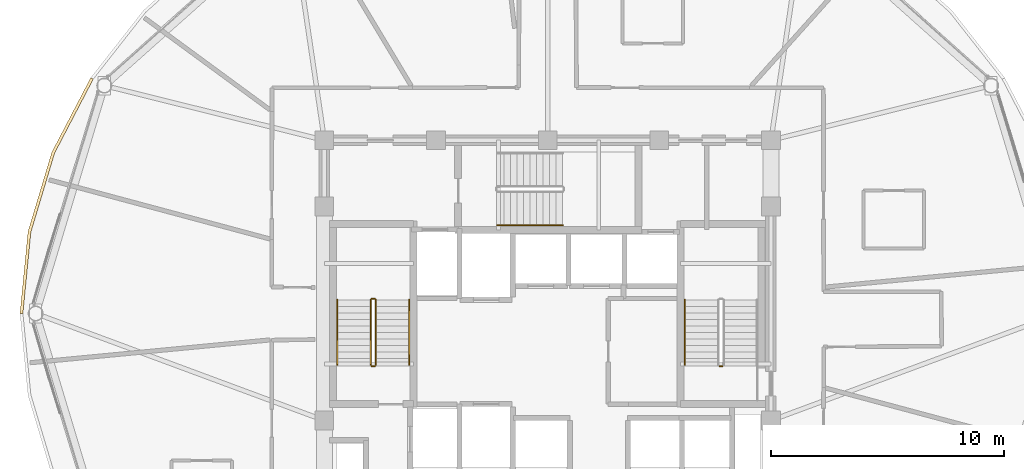
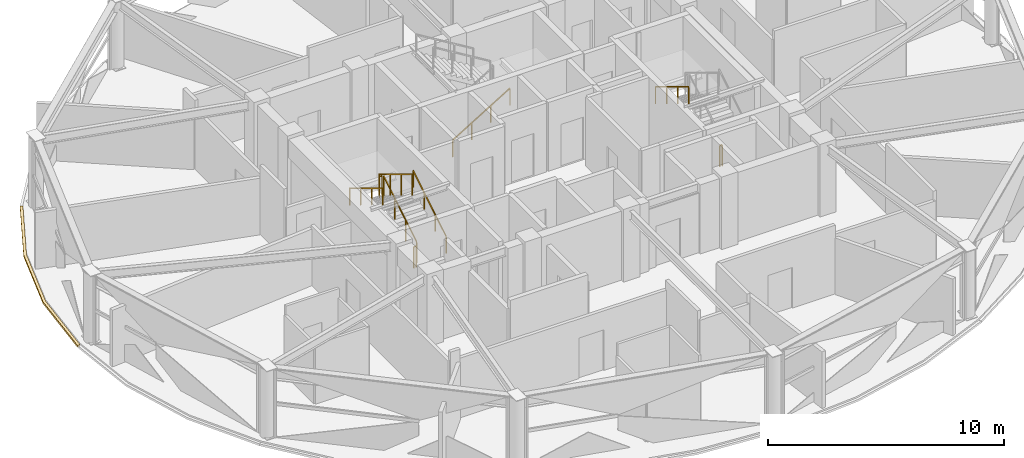
# One storey, part 26 of 28: 9 railings, 1 covering.
"""IFC4 building model written with IfcOpenShell, lengths in metres."""

from ifc_helpers import new_model, si_unit, direction, frame, origin, origin_2d, place, context, subcontext, project, spatial, polyline, rectangle, outline, extrude, material, layer, layer_set, type_object, element, save


model = new_model("IFC4")

# Units and contexts
model_context = context("Model", 3, precision=1e-05, world=origin(), true_north=direction((0.0, 1.0)))
body_context = subcontext(model_context, "Body", "Model", "MODEL_VIEW")
ifc_project = project(units=[si_unit("LENGTHUNIT", "METRE"), si_unit("AREAUNIT", "SQUARE_METRE"), si_unit("VOLUMEUNIT", "CUBIC_METRE"), si_unit("PLANEANGLEUNIT", "RADIAN"), si_unit("MASSUNIT", "GRAM", prefix="KILO")], contexts=[model_context])

# Site, building, storey
site_placement = place(None, origin())
site = spatial("IfcSite", under=ifc_project, at=site_placement, CompositionType="ELEMENT")
building_placement = place(site_placement, origin())
building = spatial("IfcBuilding", under=site, at=building_placement, Name="Vantalir Tower", CompositionType="ELEMENT")
storey_placement = place(building_placement, frame((0.0, 0.0, 223.64990234375)))
storey = spatial("IfcBuildingStorey", under=building, at=storey_placement, Name="L56", CompositionType="ELEMENT", Elevation=223.64990234375)

# Covering
ifc_material_1 = material(Name="Anodised champagne aluminium sill fascia", Category="aluminium")
ifc_layer = layer(ifc_material_1, 0.125)
ifc_layer_set = layer_set([ifc_layer], Name="Anodised champagne aluminium sill fascia")
covering_type = type_object("IfcCoveringType", Name="COV-SLAB-FASCIA-125", PredefinedType="CLADDING", material=ifc_layer_set)
covering_placement = place(storey_placement, frame((0.0, 0.0, -0.179931640625)))
element("IfcCovering", 1, at=covering_placement, inside=storey, type_object=covering_type, Name="L56 Perimeter Slab-Edge Sill Fascia 06", PredefinedType="CLADDING", context=body_context, shape_type="SweptSolid", body=[
    extrude(outline(polyline([(11.85205078125, 35.135009765625), (10.179931640625, 31.93310546875), (9.156982421875, 28.52001953125), (8.81201171875, 25.0), (8.93701171875, 25.0), (9.280029296875, 28.498046875), (10.298095703125, 31.889892578125), (11.9599609375, 35.072998046875), (11.85205078125, 35.135009765625)])), origin(), (0.0, 0.0, 1.0), 0.10498046875),
])

# Railings
ifc_material_2 = material(Name="Anodised aluminium and stainless steel guard", Category="steel")
railing_type_1 = type_object("IfcRailingType", Name="RAL-GUARD-1120", PredefinedType="GUARDRAIL", material=ifc_material_2)
railing_1_placement = place(storey_placement, frame((24.110107421875, 22.7900390625, 0.170654296875)))
element("IfcRailing", 2, at=railing_1_placement, inside=storey, type_object=railing_type_1, Name="L56 ST1 stair guard 1", PredefinedType="GUARDRAIL", context=body_context, shape_type="SweptSolid", body=[
    extrude(rectangle(XDim=0.048095703125, YDim=0.048095703125, at=origin_2d()), frame((0.0, 0.0, 1.09619140625), z_axis=(0.0, 0.854202870247, 0.519939858505), x_axis=(-1.0, 0.0, 0.0)), (0.0, 0.0, 1.0), 3.278076171875),
    extrude(rectangle(XDim=0.0419921875, YDim=0.0419921875, at=origin_2d()), origin(), (0.0, 0.0, 1.0), 1.072021484375),
    extrude(rectangle(XDim=0.0419921875, YDim=0.0419921875, at=origin_2d()), frame((0.0, 0.933349609375, 0.568115234375)), (0.0, 0.0, 1.0), 1.072021484375),
    extrude(rectangle(XDim=0.0419921875, YDim=0.0419921875, at=origin_2d()), frame((0.0, 1.86669921875, 1.13623046875)), (0.0, 0.0, 1.0), 1.072021484375),
    extrude(rectangle(XDim=0.0419921875, YDim=0.0419921875, at=origin_2d()), frame((0.0, 2.800048828125, 1.704345703125)), (0.0, 0.0, 1.0), 1.072021484375),
])
railing_2_placement = place(storey_placement, frame((24.06005859375, 25.639892578125, 1.875)))
element("IfcRailing", 3, at=railing_2_placement, inside=storey, type_object=railing_type_1, Name="L56 ST1 stair guard 2", PredefinedType="GUARDRAIL", context=body_context, shape_type="SweptSolid", body=[
    extrude(rectangle(XDim=0.048095703125, YDim=0.048095703125, at=origin_2d()), frame((0.0, 0.0, 1.09619140625), z_axis=(-1.0, 0.0, 0.0), x_axis=(0.0, -1.0, 0.0)), (0.0, 0.0, 1.0), 0.1201171875),
    extrude(rectangle(XDim=0.0419921875, YDim=0.0419921875, at=origin_2d()), origin(), (0.0, 0.0, 1.0), 1.072021484375),
    extrude(rectangle(XDim=0.0419921875, YDim=0.0419921875, at=origin_2d()), frame((-0.1201171875, 0.0, 0.0)), (0.0, 0.0, 1.0), 1.072021484375),
])
railing_3_placement = place(storey_placement, frame((23.889892578125, 25.590087890625, 2.045654296875)))
element("IfcRailing", 4, at=railing_3_placement, inside=storey, type_object=railing_type_1, Name="L56 ST1 stair guard 3", PredefinedType="GUARDRAIL", context=body_context, shape_type="SweptSolid", body=[
    extrude(rectangle(XDim=0.048095703125, YDim=0.048095703125, at=origin_2d()), frame((0.0, 0.0, 1.09619140625), z_axis=(0.0, -0.854202870247, 0.519939858505), x_axis=(1.0, 0.0, 0.0)), (0.0, 0.0, 1.0), 3.278076171875),
    extrude(rectangle(XDim=0.0419921875, YDim=0.0419921875, at=origin_2d()), origin(), (0.0, 0.0, 1.0), 1.072021484375),
    extrude(rectangle(XDim=0.0419921875, YDim=0.0419921875, at=origin_2d()), frame((0.0, -0.933349609375, 0.568115234375)), (0.0, 0.0, 1.0), 1.072021484375),
    extrude(rectangle(XDim=0.0419921875, YDim=0.0419921875, at=origin_2d()), frame((0.0, -1.86669921875, 1.13623046875)), (0.0, 0.0, 1.0), 1.072021484375),
    extrude(rectangle(XDim=0.0419921875, YDim=0.0419921875, at=origin_2d()), frame((0.0, -2.800048828125, 1.704345703125)), (0.0, 0.0, 1.0), 1.072021484375),
])
for number, where, name in (
    (5, (24.06005859375, 22.739990234375, 0.0), "L56 ST1 stair guard 4"),
    (6, (39.010009765625, 22.739990234375, 0.0), "L56 ST2 stair guard 4"),
):
    element("IfcRailing", number, at=place(storey_placement, frame(where)), inside=storey, type_object=railing_type_1, Name=name, PredefinedType="GUARDRAIL", context=body_context, shape_type="SweptSolid", body=[
        extrude(rectangle(XDim=0.048095703125, YDim=0.048095703125, at=origin_2d()), frame((0.0, 0.0, 1.09619140625), z_axis=(-1.0, 0.0, 0.0), x_axis=(0.0, -1.0, 0.0)), (0.0, 0.0, 1.0), 0.1201171875),
        extrude(rectangle(XDim=0.0419921875, YDim=0.0419921875, at=origin_2d()), origin(), (0.0, 0.0, 1.0), 1.072021484375),
        extrude(rectangle(XDim=0.0419921875, YDim=0.0419921875, at=origin_2d()), frame((-0.1201171875, 0.0, 0.0)), (0.0, 0.0, 1.0), 1.072021484375),
    ])
ifc_material_3 = material(Name="Brushed stainless steel tubular handrail", Category="steel")
railing_type_2 = type_object("IfcRailingType", Name="RAL-HANDRAIL-900", PredefinedType="HANDRAIL", material=ifc_material_3)
railing_4_placement = place(storey_placement, frame((25.550048828125, 22.7900390625, 0.170654296875)))
element("IfcRailing", 7, at=railing_4_placement, inside=storey, type_object=railing_type_2, Name="L56 ST1 stair handrail 1", PredefinedType="HANDRAIL", context=body_context, shape_type="SweptSolid", body=[
    extrude(rectangle(XDim=0.048095703125, YDim=0.048095703125, at=origin_2d()), frame((0.0, 0.0, 0.8759765625), z_axis=(0.0, 0.854202870247, 0.519939858505), x_axis=(-1.0, 0.0, 0.0)), (0.0, 0.0, 1.0), 3.278076171875),
    extrude(rectangle(XDim=0.0419921875, YDim=0.0419921875, at=origin_2d()), origin(), (0.0, 0.0, 1.0), 0.851806640625),
    extrude(rectangle(XDim=0.0419921875, YDim=0.0419921875, at=origin_2d()), frame((0.0, 0.933349609375, 0.568115234375)), (0.0, 0.0, 1.0), 0.851806640625),
    extrude(rectangle(XDim=0.0419921875, YDim=0.0419921875, at=origin_2d()), frame((0.0, 1.86669921875, 1.13623046875)), (0.0, 0.0, 1.0), 0.851806640625),
    extrude(rectangle(XDim=0.0419921875, YDim=0.0419921875, at=origin_2d()), frame((0.0, 2.800048828125, 1.704345703125)), (0.0, 0.0, 1.0), 0.851806640625),
])
for number, where, name in (
    (8, (22.449951171875, 25.590087890625, 2.045654296875), "L56 ST1 stair handrail 2"),
    (9, (37.39990234375, 25.590087890625, 2.045654296875), "L56 ST2 stair handrail 2"),
):
    element("IfcRailing", number, at=place(storey_placement, frame(where)), inside=storey, type_object=railing_type_2, Name=name, PredefinedType="HANDRAIL", context=body_context, shape_type="SweptSolid", body=[
        extrude(rectangle(XDim=0.048095703125, YDim=0.048095703125, at=origin_2d()), frame((0.0, 0.0, 0.8759765625), z_axis=(0.0, -0.854202870247, 0.519939858505), x_axis=(1.0, 0.0, 0.0)), (0.0, 0.0, 1.0), 3.278076171875),
        extrude(rectangle(XDim=0.0419921875, YDim=0.0419921875, at=origin_2d()), origin(), (0.0, 0.0, 1.0), 0.851806640625),
        extrude(rectangle(XDim=0.0419921875, YDim=0.0419921875, at=origin_2d()), frame((0.0, -0.933349609375, 0.568115234375)), (0.0, 0.0, 1.0), 0.851806640625),
        extrude(rectangle(XDim=0.0419921875, YDim=0.0419921875, at=origin_2d()), frame((0.0, -1.86669921875, 1.13623046875)), (0.0, 0.0, 1.0), 0.851806640625),
        extrude(rectangle(XDim=0.0419921875, YDim=0.0419921875, at=origin_2d()), frame((0.0, -2.800048828125, 1.704345703125)), (0.0, 0.0, 1.0), 0.851806640625),
    ])
railing_5_placement = place(storey_placement, frame((29.340087890625, 28.800048828125, 0.170654296875)))
element("IfcRailing", 10, at=railing_5_placement, inside=storey, type_object=railing_type_2, Name="L56 ST3 stair handrail 1", PredefinedType="HANDRAIL", context=body_context, shape_type="SweptSolid", body=[
    extrude(rectangle(XDim=0.048095703125, YDim=0.048095703125, at=origin_2d()), frame((0.0, 0.0, 0.8759765625), z_axis=(0.854182733786, 0.0, 0.519972939009), x_axis=(0.0, 1.0, 0.0)), (0.0, 0.0, 1.0), 3.27783203125),
    extrude(rectangle(XDim=0.0419921875, YDim=0.0419921875, at=origin_2d()), origin(), (0.0, 0.0, 1.0), 0.851806640625),
    extrude(rectangle(XDim=0.0419921875, YDim=0.0419921875, at=origin_2d()), frame((0.933349609375, 0.0, 0.568115234375)), (0.0, 0.0, 1.0), 0.851806640625),
    extrude(rectangle(XDim=0.0419921875, YDim=0.0419921875, at=origin_2d()), frame((1.866455078125, 0.0, 1.13623046875)), (0.0, 0.0, 1.0), 0.851806640625),
    extrude(rectangle(XDim=0.0419921875, YDim=0.0419921875, at=origin_2d()), frame((2.7998046875, 0.0, 1.704345703125)), (0.0, 0.0, 1.0), 0.851806640625),
])

save(model, "model.ifc")
